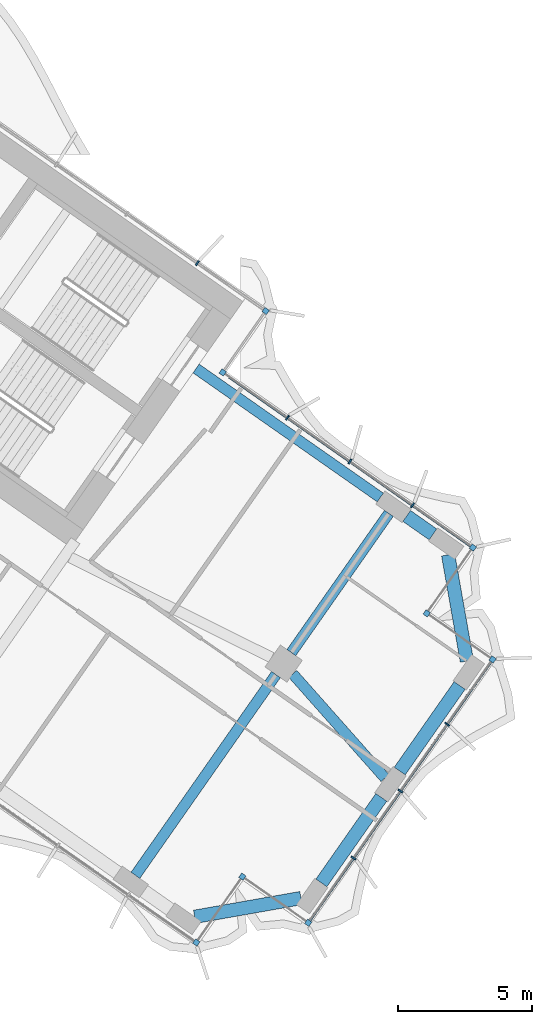
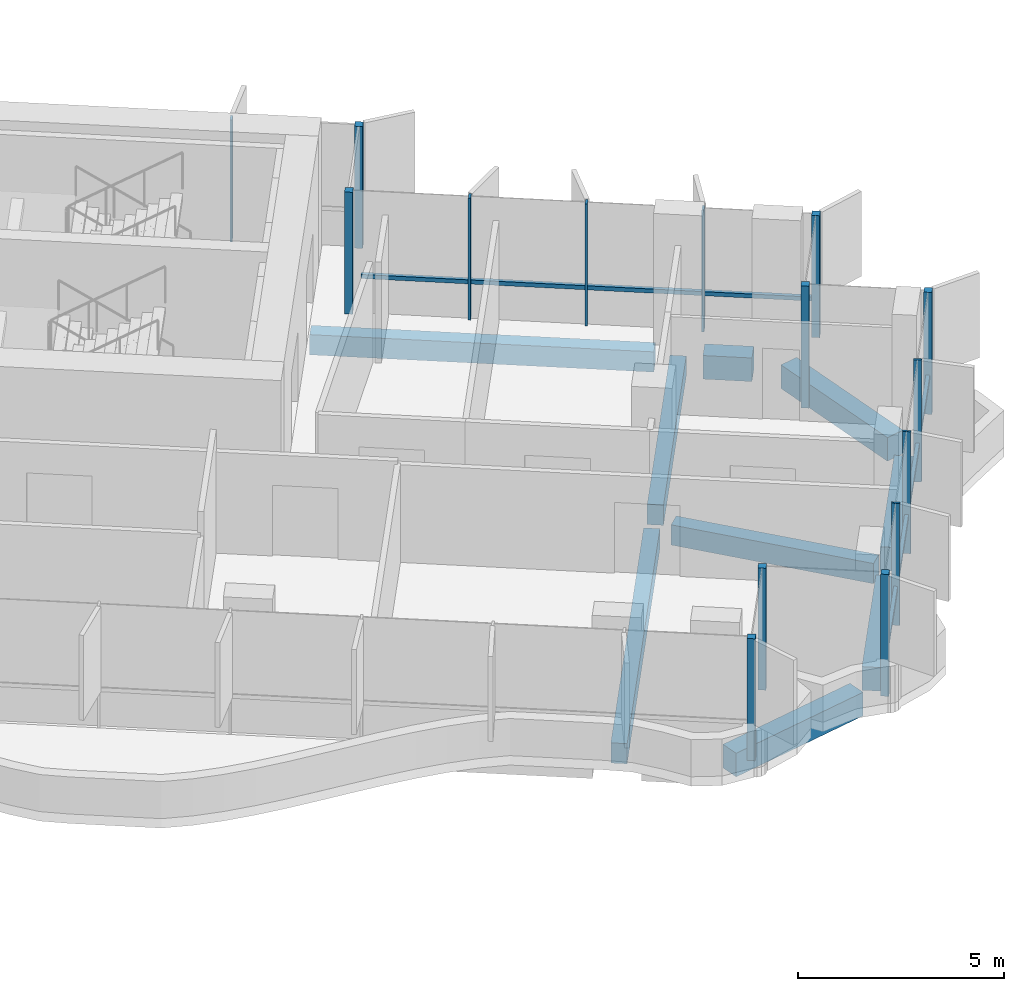
# One storey, part 11 of 23: 17 members, 9 beams, 2 elements without a shape of their own.
"""IFC4 building model written with IfcOpenShell, lengths in metres."""

from ifc_helpers import new_model, si_unit, direction, frame, origin, origin_2d, place, context, subcontext, project, spatial, rectangle, extrude, material, material_profile, profile_set, type_object, element, aggregate, save


model = new_model("IFC4")

# Units and contexts
model_context = context("Model", 3, precision=1e-05, world=origin(), true_north=direction((0.0, 1.0)))
body_context = subcontext(model_context, "Body", "Model", "MODEL_VIEW")
ifc_project = project(units=[si_unit("LENGTHUNIT", "METRE"), si_unit("AREAUNIT", "SQUARE_METRE"), si_unit("VOLUMEUNIT", "CUBIC_METRE"), si_unit("PLANEANGLEUNIT", "RADIAN"), si_unit("MASSUNIT", "GRAM", prefix="KILO")], contexts=[model_context])

# Site, building, storey
site_placement = place(None, origin())
site = spatial("IfcSite", under=ifc_project, at=site_placement, CompositionType="ELEMENT")
building_placement = place(site_placement, origin())
building = spatial("IfcBuilding", under=site, at=building_placement, Name="Tel Ilan Convention Tower", CompositionType="ELEMENT")
storey_placement = place(building_placement, frame((0.0, 0.0, 174.89990234375)))
storey = spatial("IfcBuildingStorey", under=building, at=storey_placement, Name="L40", CompositionType="ELEMENT", Elevation=174.89990234375)

# Beams
ifc_material_1 = material(Name="Concrete C40/50", Category="concrete")
ifc_material_profile_1 = material_profile(ifc_material_1, rectangle(XDim=0.39990234375, YDim=0.60009765625, at=origin_2d()), Name="RC 400x600")
ifc_profile_set_1 = profile_set([ifc_material_profile_1], Name="Concrete C40/50")
beam_type_1 = type_object("IfcBeamType", Name="Beam RC 400x600 Concrete C40/50", PredefinedType="BEAM", material=ifc_profile_set_1)
beam_1_placement = place(storey_placement, frame((33.09912109375, -14.44775390625, -0.579833984375), z_axis=(-0.819147254605, 0.573583276668, 0.0), x_axis=(-0.573583276668, -0.819147254605, 0.0)))
element("IfcBeam", 1, at=beam_1_placement, inside=storey, type_object=beam_type_1, Name="L40 beam E-E-B4-core", PredefinedType="BEAM", context=body_context, shape_type="SweptSolid", body=[
    extrude(rectangle(XDim=0.39990234375, YDim=0.60009765625, at=origin_2d()), origin(), (0.0, 0.0, 1.0), 8.400146484375),
])
beam_2_placement = place(storey_placement, frame((29.830322265625, -21.03369140625, -0.579833984375), z_axis=(0.663175252401, -0.748464150512, 0.0), x_axis=(0.748464150512, 0.663175252401, 0.0)))
element("IfcBeam", 2, at=beam_2_placement, inside=storey, type_object=beam_type_1, Name="L40 beam E-E-M4-end", PredefinedType="BEAM", context=body_context, shape_type="SweptSolid", body=[
    extrude(rectangle(XDim=0.39990234375, YDim=0.60009765625, at=origin_2d()), origin(), (0.0, 0.0, 1.0), 5.192626953125),
])
beam_3_placement = place(storey_placement, frame((29.20263671875, -21.058349609375, -0.579833984375), z_axis=(-0.573557249804, -0.819165478519, 0.0), x_axis=(0.819165478519, -0.573557249804, 0.0)))
element("IfcBeam", 3, at=beam_3_placement, inside=storey, type_object=beam_type_1, Name="L40 beam E-E-M4-E-F4", PredefinedType="BEAM", context=body_context, shape_type="SweptSolid", body=[
    extrude(rectangle(XDim=0.39990234375, YDim=0.60009765625, at=origin_2d()), origin(), (0.0, 0.0, 1.0), 9.14990234375),
])
beam_4_placement = place(storey_placement, frame((29.7763671875, -20.2392578125, -0.579833984375), z_axis=(0.573560394383, 0.819163276762, 0.0), x_axis=(-0.819163276762, 0.573560394383, 0.0)))
element("IfcBeam", 4, at=beam_4_placement, inside=storey, type_object=beam_type_1, Name="L40 beam E-E-M4-E-B4", PredefinedType="BEAM", context=body_context, shape_type="SweptSolid", body=[
    extrude(rectangle(XDim=0.39990234375, YDim=0.60009765625, at=origin_2d()), origin(), (0.0, 0.0, 1.0), 6.349853515625),
])
ifc_material_2 = material(Name="Concrete C40/50", Category="concrete")
ifc_material_profile_2 = material_profile(ifc_material_2, rectangle(XDim=0.5, YDim=0.699951171875, at=origin_2d()), Name="RC 500x700")
ifc_profile_set_2 = profile_set([ifc_material_profile_2], Name="Concrete C40/50")
beam_type_2 = type_object("IfcBeamType", Name="Beam RC 500x700 Concrete C40/50", PredefinedType="BEAM", material=ifc_profile_set_2)
beam_5_placement = place(storey_placement, frame((26.166259765625, -30.102294921875, -0.6298828125), z_axis=(0.984804894423, 0.173664388751, 0.0), x_axis=(-0.173664388751, 0.984804894423, 0.0)))
element("IfcBeam", 5, at=beam_5_placement, inside=storey, type_object=beam_type_2, Name="L40 beam E-E-FC-E-E1", PredefinedType="BEAM", context=body_context, shape_type="SweptSolid", body=[
    extrude(rectangle(XDim=0.5, YDim=0.699951171875, at=origin_2d()), origin(), (0.0, 0.0, 1.0), 4.030517578125),
])
for number, where, z_axis, x_axis, name in (
    (6, (30.8974609375, -28.837158203125, -0.6298828125), (0.573609383536, 0.819128973434, 0.0), (-0.819128973434, 0.573609383536, 0.0), "L40 beam E-E-E1-E-E2"),
    (7, (33.82275390625, -24.659423828125, -0.6298828125), (0.573567378001, 0.81915838694, 0.0), (-0.81915838694, 0.573567378001, 0.0), "L40 beam E-E-E2-E-E3"),
):
    element("IfcBeam", number, at=place(storey_placement, frame(where, z_axis=z_axis, x_axis=x_axis)), inside=storey, type_object=beam_type_2, Name=name, PredefinedType="BEAM", context=body_context, shape_type="SweptSolid", body=[
        extrude(rectangle(XDim=0.5, YDim=0.699951171875, at=origin_2d()), origin(), (0.0, 0.0, 1.0), 3.89990234375),
    ])
beam_6_placement = place(storey_placement, frame((36.330078125, -20.555419921875, -0.6298828125), z_axis=(-0.173664388751, 0.984804894423, 0.0), x_axis=(-0.984804894423, -0.173664388751, 0.0)))
element("IfcBeam", 8, at=beam_6_placement, inside=storey, type_object=beam_type_2, Name="L40 beam E-E-E3-E-BC", PredefinedType="BEAM", context=body_context, shape_type="SweptSolid", body=[
    extrude(rectangle(XDim=0.5, YDim=0.699951171875, at=origin_2d()), origin(), (0.0, 0.0, 1.0), 4.030517578125),
])
beam_7_placement = place(storey_placement, frame((35.06494140625, -15.82421875, -0.6298828125), z_axis=(-0.819155442668, 0.573571582932, 0.0), x_axis=(-0.573571582932, -0.819155442668, 0.0)))
element("IfcBeam", 9, at=beam_7_placement, inside=storey, type_object=beam_type_2, Name="L40 beam E-E-BC-E-B4", PredefinedType="BEAM", context=body_context, shape_type="SweptSolid", body=[
    extrude(rectangle(XDim=0.5, YDim=0.699951171875, at=origin_2d()), origin(), (0.0, 0.0, 1.0), 1.199951171875),
])

# Curtain wall, members
ifc_material_3 = material(Name="Aluminium, bronze anodised", Category="aluminium")
curtain_wall_type_1 = type_object("IfcCurtainWallType", Name="CW2 STICK CURTAIN WALL, SPANDREL PANELS", PredefinedType="NOTDEFINED", material=ifc_material_3)
curtain_wall_1_placement = place(storey_placement, origin())
curtain_wall_1 = element("IfcCurtainWall", 10, at=curtain_wall_1_placement, inside=storey, type_object=curtain_wall_type_1, Name="Curtain wall CW2-31.01", PredefinedType="NOTDEFINED")
ifc_material_4 = material(Name="Aluminium, bronze anodised", Category="aluminium")
ifc_material_profile_3 = material_profile(ifc_material_4, rectangle(XDim=0.199951171875, YDim=0.199951171875, at=origin_2d()), Name="CW CORNER MULLION 200x200")
ifc_profile_set_3 = profile_set([ifc_material_profile_3], Name="Aluminium, bronze anodised")
member_type_1 = type_object("IfcMemberType", Name="CW CORNER MULLION 200x200", PredefinedType="MULLION", material=ifc_profile_set_3)
member_1_placement = place(storey_placement, frame((27.213623046875, -9.77734375, 0.0), z_axis=(0.0, 0.0, 1.0), x_axis=(-0.819152044289, 0.573576436351, 0.0)))
member_1 = element("IfcMember", 11, at=member_1_placement, type_object=member_type_1, Name="Corner mullion", PredefinedType="MULLION", context=body_context, shape_type="SweptSolid", body=[
    extrude(rectangle(XDim=0.199951171875, YDim=0.199951171875, at=origin_2d()), origin(), (0.0, 0.0, 1.0), 3.6201171875),
])
member_2_placement = place(storey_placement, frame((28.819580078125, -7.483642578125, 0.0), z_axis=(0.0, 0.0, 1.0), x_axis=(0.573576436351, 0.819152044289, 0.0)))
member_2 = element("IfcMember", 12, at=member_2_placement, type_object=member_type_1, Name="Corner mullion", PredefinedType="MULLION", context=body_context, shape_type="SweptSolid", body=[
    extrude(rectangle(XDim=0.199951171875, YDim=0.199951171875, at=origin_2d()), origin(), (0.0, 0.0, 1.0), 3.6201171875),
])

ifc_material_5 = material(Name="Aluminium, bronze anodised", Category="aluminium")
curtain_wall_type_2 = type_object("IfcCurtainWallType", Name="CW4 STICK CURTAIN WALL, OFFICE TINTED GLASS", PredefinedType="NOTDEFINED", material=ifc_material_5)
curtain_wall_2_placement = place(storey_placement, origin())
curtain_wall_2 = element("IfcCurtainWall", 13, at=curtain_wall_2_placement, inside=storey, type_object=curtain_wall_type_2, Name="Curtain wall CW4-31.02", PredefinedType="NOTDEFINED")
member_3_placement = place(storey_placement, frame((26.2275390625, -31.060791015625, 0.0), z_axis=(0.0, 0.0, 1.0), x_axis=(0.819152044289, -0.573576436351, 0.0)))
member_3 = element("IfcMember", 14, at=member_3_placement, type_object=member_type_1, Name="Corner mullion", PredefinedType="MULLION", context=body_context, shape_type="SweptSolid", body=[
    extrude(rectangle(XDim=0.199951171875, YDim=0.199951171875, at=origin_2d()), origin(), (0.0, 0.0, 1.0), 3.6201171875),
])
member_4_placement = place(storey_placement, frame((27.9482421875, -28.603271484375, 0.0), z_axis=(0.0, 0.0, 1.0), x_axis=(0.573576436351, 0.819152044289, 0.0)))
member_4 = element("IfcMember", 15, at=member_4_placement, type_object=member_type_1, Name="Corner mullion", PredefinedType="MULLION", context=body_context, shape_type="SweptSolid", body=[
    extrude(rectangle(XDim=0.199951171875, YDim=0.199951171875, at=origin_2d()), origin(), (0.0, 0.0, 1.0), 3.6201171875),
])
member_5_placement = place(storey_placement, frame((30.40576171875, -30.323974609375, 0.0), z_axis=(0.0, 0.0, 1.0), x_axis=(0.819152044289, -0.573576436351, 0.0)))
member_5 = element("IfcMember", 16, at=member_5_placement, type_object=member_type_1, Name="Corner mullion", PredefinedType="MULLION", context=body_context, shape_type="SweptSolid", body=[
    extrude(rectangle(XDim=0.199951171875, YDim=0.199951171875, at=origin_2d()), origin(), (0.0, 0.0, 1.0), 3.6201171875),
])
member_6_placement = place(storey_placement, frame((37.28857421875, -20.494140625, 0.0), z_axis=(0.0, 0.0, 1.0), x_axis=(0.573576436351, 0.819152044289, 0.0)))
member_6 = element("IfcMember", 17, at=member_6_placement, type_object=member_type_1, Name="Corner mullion", PredefinedType="MULLION", context=body_context, shape_type="SweptSolid", body=[
    extrude(rectangle(XDim=0.199951171875, YDim=0.199951171875, at=origin_2d()), origin(), (0.0, 0.0, 1.0), 3.6201171875),
])
member_7_placement = place(storey_placement, frame((34.8310546875, -18.7734375, 0.0), z_axis=(0.0, 0.0, 1.0), x_axis=(-0.819152044289, 0.573576436351, 0.0)))
member_7 = element("IfcMember", 18, at=member_7_placement, type_object=member_type_1, Name="Corner mullion", PredefinedType="MULLION", context=body_context, shape_type="SweptSolid", body=[
    extrude(rectangle(XDim=0.199951171875, YDim=0.199951171875, at=origin_2d()), origin(), (0.0, 0.0, 1.0), 3.6201171875),
])
member_8_placement = place(storey_placement, frame((36.5517578125, -16.31591796875, 0.0), z_axis=(0.0, 0.0, 1.0), x_axis=(0.573576436351, 0.819152044289, 0.0)))
member_8 = element("IfcMember", 19, at=member_8_placement, type_object=member_type_1, Name="Corner mullion", PredefinedType="MULLION", context=body_context, shape_type="SweptSolid", body=[
    extrude(rectangle(XDim=0.199951171875, YDim=0.199951171875, at=origin_2d()), origin(), (0.0, 0.0, 1.0), 3.6201171875),
])

# Member
ifc_material_6 = material(Name="Aluminium, bronze anodised", Category="aluminium")
ifc_material_profile_4 = material_profile(ifc_material_6, rectangle(XDim=0.06005859375, YDim=0.199951171875, at=origin_2d()), Name="CW MULLION 60x200")
ifc_profile_set_4 = profile_set([ifc_material_profile_4], Name="Aluminium, bronze anodised")
member_type_2 = type_object("IfcMemberType", Name="CW MULLION 60x200", PredefinedType="MULLION", material=ifc_profile_set_4)
member_9_placement = place(storey_placement, frame((26.268798828125, -5.697509765625, 0.0), z_axis=(0.0, 0.0, 1.0), x_axis=(-0.819152044289, 0.573576436351, 0.0)))
member_9 = element("IfcMember", 20, at=member_9_placement, type_object=member_type_2, Name="Mullion", PredefinedType="MULLION", context=body_context, shape_type="SweptSolid", body=[
    extrude(rectangle(XDim=0.06005859375, YDim=0.199951171875, at=origin_2d()), origin(), (0.0, 0.0, 1.0), 3.6201171875),
])

aggregate(curtain_wall_1, [member_1, member_2, member_9])

member_10_placement = place(storey_placement, frame((32.09765625, -27.907470703125, 0.0), z_axis=(0.0, 0.0, 1.0), x_axis=(0.573576436351, 0.819152044289, 0.0)))
member_10 = element("IfcMember", 21, at=member_10_placement, type_object=member_type_2, Name="Mullion", PredefinedType="MULLION", context=body_context, shape_type="SweptSolid", body=[
    extrude(rectangle(XDim=0.06005859375, YDim=0.199951171875, at=origin_2d()), origin(), (0.0, 0.0, 1.0), 3.6201171875),
])

member_11_placement = place(storey_placement, frame((33.84716796875, -25.4091796875, 0.0), z_axis=(0.0, 0.0, 1.0), x_axis=(0.573576436351, 0.819152044289, 0.0)))
member_11 = element("IfcMember", 22, at=member_11_placement, type_object=member_type_2, Name="Mullion", PredefinedType="MULLION", context=body_context, shape_type="SweptSolid", body=[
    extrude(rectangle(XDim=0.06005859375, YDim=0.199951171875, at=origin_2d()), origin(), (0.0, 0.0, 1.0), 3.6201171875),
])

member_12_placement = place(storey_placement, frame((35.596435546875, -22.91064453125, 0.0), z_axis=(0.0, 0.0, 1.0), x_axis=(0.573576436351, 0.819152044289, 0.0)))
member_12 = element("IfcMember", 23, at=member_12_placement, type_object=member_type_2, Name="Mullion", PredefinedType="MULLION", context=body_context, shape_type="SweptSolid", body=[
    extrude(rectangle(XDim=0.06005859375, YDim=0.199951171875, at=origin_2d()), origin(), (0.0, 0.0, 1.0), 3.6201171875),
])

member_13_placement = place(storey_placement, frame((34.299072265625, -14.73876953125, 0.0), z_axis=(0.0, 0.0, 1.0), x_axis=(-0.819152044289, 0.573576436351, 0.0)))
member_13 = element("IfcMember", 24, at=member_13_placement, type_object=member_type_2, Name="Mullion", PredefinedType="MULLION", context=body_context, shape_type="SweptSolid", body=[
    extrude(rectangle(XDim=0.06005859375, YDim=0.199951171875, at=origin_2d()), origin(), (0.0, 0.0, 1.0), 3.6201171875),
])

member_14_placement = place(storey_placement, frame((31.964599609375, -13.10400390625, 0.0), z_axis=(0.0, 0.0, 1.0), x_axis=(-0.819152044289, 0.573576436351, 0.0)))
member_14 = element("IfcMember", 25, at=member_14_placement, type_object=member_type_2, Name="Mullion", PredefinedType="MULLION", context=body_context, shape_type="SweptSolid", body=[
    extrude(rectangle(XDim=0.06005859375, YDim=0.199951171875, at=origin_2d()), origin(), (0.0, 0.0, 1.0), 3.6201171875),
])

member_15_placement = place(storey_placement, frame((29.630126953125, -11.46923828125, 0.0), z_axis=(0.0, 0.0, 1.0), x_axis=(-0.819152044289, 0.573576436351, 0.0)))
member_15 = element("IfcMember", 26, at=member_15_placement, type_object=member_type_2, Name="Mullion", PredefinedType="MULLION", context=body_context, shape_type="SweptSolid", body=[
    extrude(rectangle(XDim=0.06005859375, YDim=0.199951171875, at=origin_2d()), origin(), (0.0, 0.0, 1.0), 3.6201171875),
])

ifc_material_7 = material(Name="Aluminium, bronze anodised", Category="aluminium")
ifc_material_profile_5 = material_profile(ifc_material_7, rectangle(XDim=0.10009765625, YDim=0.1201171875, at=origin_2d()), Name="CW TRANSOM 100x120")
ifc_profile_set_5 = profile_set([ifc_material_profile_5], Name="Aluminium, bronze anodised")
member_type_3 = type_object("IfcMemberType", Name="CW TRANSOM 100x120", PredefinedType="USERDEFINED", material=ifc_profile_set_5)
member_16_placement = place(storey_placement, frame((30.463134765625, -30.2421875, 1.10009765625), z_axis=(0.573567872435, 0.819158040741, 0.0), x_axis=(-0.819158040741, 0.573567872435, 0.0)))
member_16 = element("IfcMember", 27, at=member_16_placement, type_object=member_type_3, Name="Transom", ObjectType="TRANSOM", PredefinedType="USERDEFINED", context=body_context, shape_type="SweptSolid", body=[
    extrude(rectangle(XDim=0.10009765625, YDim=0.1201171875, at=origin_2d()), origin(), (0.0, 0.0, 1.0), 11.800048828125),
])

member_17_placement = place(storey_placement, frame((36.469970703125, -16.258544921875, 1.10009765625), z_axis=(-0.819154753687, 0.57357256691, 0.0), x_axis=(-0.57357256691, -0.819154753687, 0.0)))
member_17 = element("IfcMember", 28, at=member_17_placement, type_object=member_type_3, Name="Transom", ObjectType="TRANSOM", PredefinedType="USERDEFINED", context=body_context, shape_type="SweptSolid", body=[
    extrude(rectangle(XDim=0.10009765625, YDim=0.1201171875, at=origin_2d()), origin(), (0.0, 0.0, 1.0), 11.0),
])

aggregate(curtain_wall_2, [member_3, member_4, member_5, member_10, member_11, member_12, member_6, member_16, member_7, member_8, member_13, member_14, member_15, member_17])

save(model, "model.ifc")
